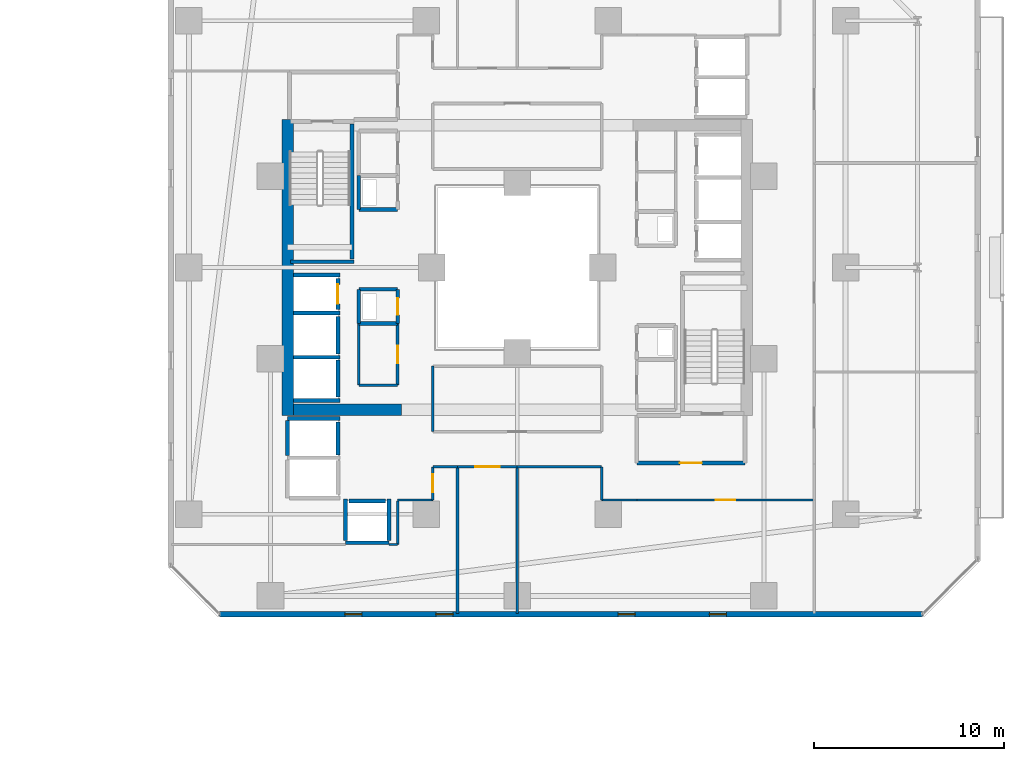
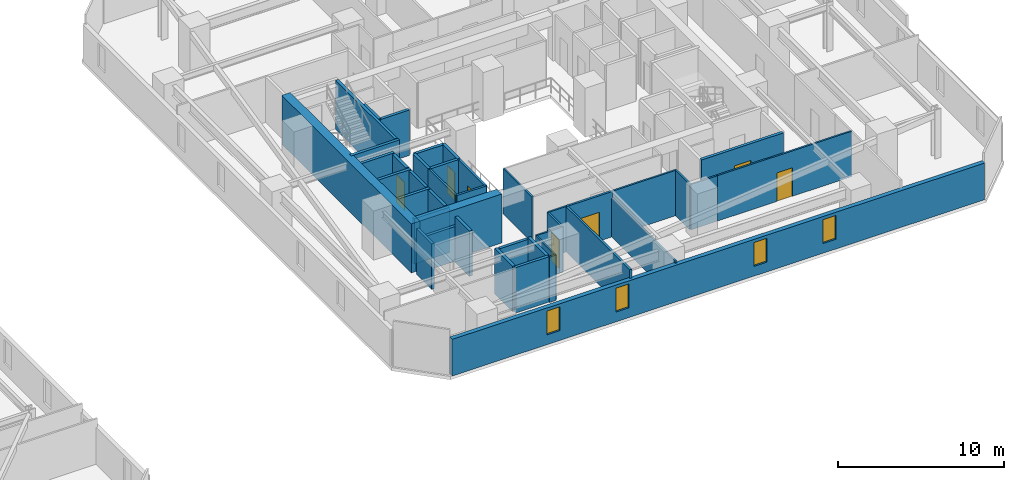
# One storey, part 25 of 35: 42 walls, 7 doors, 4 windows, 11 openings.
"""IFC4 building model written with IfcOpenShell, lengths in metres."""

from ifc_helpers import new_model, si_unit, direction, frame, frame_2d, origin, place, context, subcontext, project, spatial, rectangle, extrude, material, layer, layer_set, type_object, element, fill, save


model = new_model("IFC4")

# Units and contexts
model_context = context("Model", 3, precision=1e-05, world=origin(), true_north=direction((0.0, 1.0)))
body_context = subcontext(model_context, "Body", "Model", "MODEL_VIEW")
ifc_project = project(units=[si_unit("LENGTHUNIT", "METRE"), si_unit("AREAUNIT", "SQUARE_METRE"), si_unit("VOLUMEUNIT", "CUBIC_METRE"), si_unit("PLANEANGLEUNIT", "RADIAN"), si_unit("MASSUNIT", "GRAM", prefix="KILO")], contexts=[model_context])

# Site, building, storey
site_placement = place(None, origin())
site = spatial("IfcSite", under=ifc_project, at=site_placement, CompositionType="ELEMENT")
building_placement = place(site_placement, origin())
building = spatial("IfcBuilding", under=site, at=building_placement, Name="Thornwick Lancets Civic Towers", CompositionType="ELEMENT")
storey_placement = place(building_placement, frame((0.0, 0.0, 64.5)))
storey = spatial("IfcBuildingStorey", under=building, at=storey_placement, Name="L16", CompositionType="ELEMENT", Elevation=64.5)

# Wall, opening, door
ifc_material_1 = material(Name="Concrete blockwork C40/50", Category="masonry")
ifc_layer_1 = layer(ifc_material_1, 0.199951171875, Name="Concrete blockwork C40/50")
ifc_layer_set_1 = layer_set([ifc_layer_1], Name="Concrete blockwork C40/50")
wall_type_1 = type_object("IfcWallType", Name="WALL_COMP_200", PredefinedType="STANDARD", material=ifc_layer_set_1)
wall_1_placement = place(storey_placement, frame((79.050048828125, 24.780029296875, 0.0), z_axis=(0.0, 0.0, 1.0), x_axis=(0.0, 1.0, 0.0)))
wall_1 = element("IfcWall", 1, at=wall_1_placement, inside=storey, type_object=wall_type_1, Name="L16 Hoistway Front Wall FL-B2", PredefinedType="STANDARD", context=body_context, shape_type="SweptSolid", body=[
    extrude(rectangle(XDim=1.639892578125, YDim=0.199951171875, at=frame_2d((0.81982421875, 0.0))), origin(), (0.0, 0.0, 1.0), 3.340087890625),
])
opening_1_placement = place(wall_1_placement, frame((0.31005859375, 0.0, 0.0)))
opening_1 = element("IfcOpeningElement", 2, at=opening_1_placement, cuts=wall_1, Name="Opening LD-FL-B2", PredefinedType="OPENING", context=body_context, shape_type="SweptSolid", body=[
    extrude(rectangle(XDim=1.02001953125, YDim=2.06005859375, at=frame_2d((0.510009765625, 1.030029296875))), frame((0.0, 0.10986328125, 0.0), z_axis=(0.0, -1.0, 0.0), x_axis=(1.0, 0.0, 0.0)), (0.0, 0.0, 1.0), 0.219970703125),
])
ifc_material_2 = material(Name="Brushed bronze stainless steel", Category="steel")
door_type_1 = type_object("IfcDoorType", Name="DOOR_LIFT_SLIDE", OperationType="SLIDING_TO_LEFT", PredefinedType="DOOR", material=ifc_material_2)
door_1_placement = place(opening_1_placement, origin())
door_1 = element("IfcDoor", 3, at=door_1_placement, inside=storey, type_object=door_type_1, Name="L16 Sliding Lift Landing Door LD-FL-B2", OperationType="SLIDING_TO_LEFT", OverallHeight=2.06005859375, OverallWidth=1.02001953125, PredefinedType="DOOR", context=body_context, shape_type="SweptSolid", body=[
    extrude(rectangle(XDim=1.02001953125, YDim=2.06005859375, at=frame_2d((0.510009765625, 1.030029296875))), frame((0.0, 0.02490234375, 0.0), z_axis=(0.0, -1.0, 0.0), x_axis=(1.0, 0.0, 0.0)), (0.0, 0.0, 1.0), 0.050048828125),
])
fill(opening_1, door_1)

# Walls
wall_2_placement = place(storey_placement, frame((79.050048828125, 22.429931640625, 0.0), z_axis=(0.0, 0.0, 1.0), x_axis=(0.0, 1.0, 0.0)))
element("IfcWall", 4, at=wall_2_placement, inside=storey, type_object=wall_type_1, Name="L16 Hoistway Front Wall PL-BH2", PredefinedType="STANDARD", context=body_context, shape_type="SweptSolid", body=[
    extrude(rectangle(XDim=1.989990234375, YDim=0.199951171875, at=frame_2d((0.9951171875, 0.0))), origin(), (0.0, 0.0, 1.0), 3.340087890625),
])
wall_3_placement = place(storey_placement, frame((79.050048828125, 20.179931640625, 0.0), z_axis=(0.0, 0.0, 1.0), x_axis=(0.0, 1.0, 0.0)))
element("IfcWall", 5, at=wall_3_placement, inside=storey, type_object=wall_type_1, Name="L16 Hoistway Front Wall PL-BH3", PredefinedType="STANDARD", context=body_context, shape_type="SweptSolid", body=[
    extrude(rectangle(XDim=1.940185546875, YDim=0.199951171875, at=frame_2d((0.97021484375, 0.0))), origin(), (0.0, 0.0, 1.0), 3.340087890625),
])
wall_4_placement = place(storey_placement, frame((79.050048828125, 17.1298828125, 0.0), z_axis=(0.0, 0.0, 1.0), x_axis=(0.0, 1.0, 0.0)))
element("IfcWall", 6, at=wall_4_placement, inside=storey, type_object=wall_type_1, Name="L16 Hoistway Front Wall PL-BM1", PredefinedType="STANDARD", context=body_context, shape_type="SweptSolid", body=[
    extrude(rectangle(XDim=1.740234375, YDim=0.199951171875, at=frame_2d((0.8701171875, 0.0))), origin(), (0.0, 0.0, 1.0), 3.340087890625),
])
wall_5_placement = place(storey_placement, frame((79.6298828125, 14.699951171875, 0.0), z_axis=(0.0, 0.0, 1.0), x_axis=(1.0, 0.0, 0.0)))
element("IfcWall", 7, at=wall_5_placement, inside=storey, type_object=wall_type_1, Name="L16 Hoistway Front Wall PL-BM3", PredefinedType="STANDARD", context=body_context, shape_type="SweptSolid", body=[
    extrude(rectangle(XDim=1.940185546875, YDim=0.199951171875, at=frame_2d((0.97021484375, 0.0))), origin(), (0.0, 0.0, 1.0), 3.340087890625),
])
for number, where, z_axis, x_axis, name in (
    (8, (76.7119140625, 26.60009765625, 0.0), (0.0, 0.0, 1.0), (1.0, 0.0, 0.0), "L16 Hoistway Shaft Wall FL-B2 N"),
    (9, (76.7119140625, 24.60009765625, 0.0), (0.0, 0.0, 1.0), (1.0, 0.0, 0.0), "L16 Hoistway Shaft Wall FL-B2 S"),
    (10, (76.7119140625, 22.27490234375, 0.0), (0.0, 0.0, 1.0), (1.0, 0.0, 0.0), "L16 Hoistway Shaft Wall PL-BH2 S"),
    (11, (76.7119140625, 20.0, 0.0), (0.0, 0.0, 1.0), (1.0, 0.0, 0.0), "L16 Hoistway Shaft Wall PL-BH3 S"),
):
    element("IfcWall", number, at=place(storey_placement, frame(where, z_axis=z_axis, x_axis=x_axis)), inside=storey, type_object=wall_type_1, Name=name, PredefinedType="STANDARD", context=body_context, shape_type="SweptSolid", body=[
        extrude(rectangle(XDim=2.43603515625, YDim=0.199951171875, at=frame_2d((1.218017578125, 0.0))), origin(), (0.0, 0.0, 1.0), 3.340087890625),
    ])
wall_6_placement = place(storey_placement, frame((76.402099609375, 19.050048828125, 0.0), z_axis=(0.0, 0.0, 1.0), x_axis=(1.0, 0.0, 0.0)))
element("IfcWall", 12, at=wall_6_placement, inside=storey, type_object=wall_type_1, Name="L16 Hoistway Shaft Wall PL-BM1 N", PredefinedType="STANDARD", context=body_context, shape_type="SweptSolid", body=[
    extrude(rectangle(XDim=2.745849609375, YDim=0.199951171875, at=frame_2d((1.373046875, 0.0))), origin(), (0.0, 0.0, 1.0), 2.544921875),
])
wall_7_placement = place(storey_placement, frame((76.39990234375, 17.08203125, 0.0), z_axis=(0.0, 0.0, 1.0), x_axis=(0.0, 1.0, 0.0)))
element("IfcWall", 13, at=wall_7_placement, inside=storey, type_object=wall_type_1, Name="L16 Hoistway Shaft Wall PL-BM1 W", PredefinedType="STANDARD", context=body_context, shape_type="SweptSolid", body=[
    extrude(rectangle(XDim=1.85595703125, YDim=0.199951171875, at=frame_2d((0.927978515625, 0.0))), origin(), (0.0, 0.0, 1.0), 3.340087890625),
])
wall_8_placement = place(storey_placement, frame((79.451904296875, 12.5, 0.0), z_axis=(0.0, 0.0, 1.0), x_axis=(1.0, 0.0, 0.0)))
element("IfcWall", 14, at=wall_8_placement, inside=storey, type_object=wall_type_1, Name="L16 Hoistway Shaft Wall PL-BM3 S", PredefinedType="STANDARD", context=body_context, shape_type="SweptSolid", body=[
    extrude(rectangle(XDim=2.296142578125, YDim=0.199951171875, at=frame_2d((1.14794921875, 0.0))), origin(), (0.0, 0.0, 1.0), 3.340087890625),
])
for number, where, z_axis, x_axis, name in (
    (15, (81.75, 12.612060546875, 0.0), (0.0, 0.0, 1.0), (0.0, 1.0, 0.0), "L16 Hoistway Shaft Wall PL-BM3 E"),
    (16, (79.449951171875, 12.612060546875, 0.0), (0.0, 0.0, 1.0), (0.0, 1.0, 0.0), "L16 Hoistway Shaft Wall PL-BM3 W"),
):
    element("IfcWall", number, at=place(storey_placement, frame(where, z_axis=z_axis, x_axis=x_axis)), inside=storey, type_object=wall_type_1, Name=name, PredefinedType="STANDARD", context=body_context, shape_type="SweptSolid", body=[
        extrude(rectangle(XDim=2.18603515625, YDim=0.199951171875, at=frame_2d((1.093017578125, 0.0))), origin(), (0.0, 0.0, 1.0), 3.340087890625),
    ])

# Wall, opening, door
wall_9_placement = place(storey_placement, frame((94.800048828125, 16.699951171875, 0.0), z_axis=(0.0, 0.0, 1.0), x_axis=(1.0, 0.0, 0.0)))
wall_9 = element("IfcWall", 17, at=wall_9_placement, inside=storey, type_object=wall_type_1, Name="L16 Partition L16-B-FFLOB1 E1", PredefinedType="STANDARD", context=body_context, shape_type="SweptSolid", body=[
    extrude(rectangle(XDim=5.699951171875, YDim=0.199951171875, at=frame_2d((2.85009765625, 0.0))), origin(), (0.0, 0.0, 1.0), 3.340087890625),
])
opening_2_placement = place(wall_9_placement, frame((2.27490234375, 0.0, 0.0)))
opening_2 = element("IfcOpeningElement", 18, at=opening_2_placement, cuts=wall_9, Name="Opening D-L16-0764", PredefinedType="OPENING", context=body_context, shape_type="SweptSolid", body=[
    extrude(rectangle(XDim=1.14990234375, YDim=2.10009765625, at=frame_2d((0.574951171875, 1.050048828125))), frame((0.0, 0.10986328125, 0.0), z_axis=(0.0, -1.0, 0.0), x_axis=(1.0, 0.0, 0.0)), (0.0, 0.0, 1.0), 0.219970703125),
])
ifc_material_3 = material(Name="Glazed fire-resisting steel", Category="steel")
door_type_2 = type_object("IfcDoorType", Name="DOOR_LOBBY_FD60", OperationType="NOTDEFINED", PredefinedType="DOOR", material=ifc_material_3)
door_2_placement = place(opening_2_placement, origin())
door_2 = element("IfcDoor", 19, at=door_2_placement, inside=storey, type_object=door_type_2, Name="L16 East Firefighting Lobby 1 Door", OperationType="SINGLE_SWING_LEFT", OverallHeight=2.10009765625, OverallWidth=1.14990234375, PredefinedType="DOOR", context=body_context, shape_type="SweptSolid", body=[
    extrude(rectangle(XDim=1.14990234375, YDim=2.10009765625, at=frame_2d((0.574951171875, 1.050048828125))), frame((0.0, 0.02490234375, 0.0), z_axis=(0.0, -1.0, 0.0), x_axis=(1.0, 0.0, 0.0)), (0.0, 0.0, 1.0), 0.050048828125),
])
fill(opening_2, door_2)

# Wall
wall_10_placement = place(storey_placement, frame((80.14990234375, 24.050048828125, 0.0), z_axis=(0.0, 0.0, 1.0), x_axis=(1.0, 0.0, 0.0)))
element("IfcWall", 20, at=wall_10_placement, inside=storey, type_object=wall_type_1, Name="L16 Partition L16-B-DUCT2 E1", PredefinedType="STANDARD", context=body_context, shape_type="SweptSolid", body=[
    extrude(rectangle(XDim=2.050048828125, YDim=0.199951171875, at=frame_2d((1.02490234375, 0.0))), origin(), (0.0, 0.0, 1.0), 3.340087890625),
])

# Wall, opening, door
wall_11_placement = place(storey_placement, frame((82.199951171875, 24.050048828125, 0.0), z_axis=(0.0, 0.0, 1.0), x_axis=(0.0, 1.0, 0.0)))
wall_11 = element("IfcWall", 21, at=wall_11_placement, inside=storey, type_object=wall_type_1, Name="L16 Partition L16-B-DUCT2 E2", PredefinedType="STANDARD", context=body_context, shape_type="SweptSolid", body=[
    extrude(rectangle(XDim=1.800048828125, YDim=0.199951171875, at=frame_2d((0.89990234375, 0.0))), origin(), (0.0, 0.0, 1.0), 3.340087890625),
])
opening_3_placement = place(wall_11_placement, frame((0.4599609375, 0.0, 0.0)))
opening_3 = element("IfcOpeningElement", 22, at=opening_3_placement, cuts=wall_11, Name="Opening D-L16-0768", PredefinedType="OPENING", context=body_context, shape_type="SweptSolid", body=[
    extrude(rectangle(XDim=0.8798828125, YDim=2.0400390625, at=frame_2d((0.43994140625, 1.02001953125))), frame((0.0, 0.10986328125, 0.0), z_axis=(0.0, -1.0, 0.0), x_axis=(1.0, 0.0, 0.0)), (0.0, 0.0, 1.0), 0.219970703125),
])
ifc_material_4 = material(Name="Steel riser access doorset", Category="steel")
door_type_3 = type_object("IfcDoorType", Name="DOOR_RISER_850", OperationType="NOTDEFINED", PredefinedType="DOOR", material=ifc_material_4)
door_3_placement = place(opening_3_placement, origin())
door_3 = element("IfcDoor", 23, at=door_3_placement, inside=storey, type_object=door_type_3, Name="L16 West Service Duct 2 Door", OperationType="SINGLE_SWING_LEFT", OverallHeight=2.0400390625, OverallWidth=0.8798828125, PredefinedType="DOOR", context=body_context, shape_type="SweptSolid", body=[
    extrude(rectangle(XDim=0.8798828125, YDim=2.0400390625, at=frame_2d((0.43994140625, 1.02001953125))), frame((0.0, 0.02490234375, 0.0), z_axis=(0.0, -1.0, 0.0), x_axis=(1.0, 0.0, 0.0)), (0.0, 0.0, 1.0), 0.050048828125),
])
fill(opening_3, door_3)

# Walls
wall_12_placement = place(storey_placement, frame((82.199951171875, 25.85009765625, 0.0), z_axis=(0.0, 0.0, 1.0), x_axis=(-1.0, 0.0, 0.0)))
element("IfcWall", 24, at=wall_12_placement, inside=storey, type_object=wall_type_1, Name="L16 Partition L16-B-DUCT2 E3", PredefinedType="STANDARD", context=body_context, shape_type="SweptSolid", body=[
    extrude(rectangle(XDim=2.050048828125, YDim=0.199951171875, at=frame_2d((1.02490234375, 0.0))), origin(), (0.0, 0.0, 1.0), 3.340087890625),
])
wall_13_placement = place(storey_placement, frame((80.14990234375, 25.85009765625, 0.0), z_axis=(0.0, 0.0, 1.0), x_axis=(0.0, -1.0, 0.0)))
element("IfcWall", 25, at=wall_13_placement, inside=storey, type_object=wall_type_1, Name="L16 Partition L16-B-DUCT2 E4", PredefinedType="STANDARD", context=body_context, shape_type="SweptSolid", body=[
    extrude(rectangle(XDim=1.800048828125, YDim=0.199951171875, at=frame_2d((0.89990234375, 0.0))), origin(), (0.0, 0.0, 1.0), 3.340087890625),
])
wall_14_placement = place(storey_placement, frame((80.14990234375, 30.050048828125, 0.0), z_axis=(0.0, 0.0, 1.0), x_axis=(1.0, 0.0, 0.0)))
element("IfcWall", 26, at=wall_14_placement, inside=storey, type_object=wall_type_1, Name="L16 Partition L16-B-RISER2 E1", PredefinedType="STANDARD", context=body_context, shape_type="SweptSolid", body=[
    extrude(rectangle(XDim=2.050048828125, YDim=0.199951171875, at=frame_2d((1.02490234375, 0.0))), origin(), (0.0, 0.0, 1.0), 3.340087890625),
])
wall_15_placement = place(storey_placement, frame((80.14990234375, 31.85009765625, 0.0), z_axis=(0.0, 0.0, 1.0), x_axis=(0.0, -1.0, 0.0)))
element("IfcWall", 27, at=wall_15_placement, inside=storey, type_object=wall_type_1, Name="L16 Partition L16-B-RISER2 E4", PredefinedType="STANDARD", context=body_context, shape_type="SweptSolid", body=[
    extrude(rectangle(XDim=1.800048828125, YDim=0.199951171875, at=frame_2d((0.89990234375, 0.0))), origin(), (0.0, 0.0, 1.0), 3.340087890625),
])
ifc_material_5 = material(Name="Concrete C60/75", Category="concrete")
ifc_layer_2 = layer(ifc_material_5, 0.60009765625, Name="Concrete C60/75")
ifc_layer_set_2 = layer_set([ifc_layer_2], Name="Concrete C60/75")
wall_type_2 = type_object("IfcWallType", Name="WALL_CORE_600", PredefinedType="SHEAR", material=ifc_layer_set_2)
wall_16_placement = place(storey_placement, frame((76.39990234375, 19.199951171875, 0.0), z_axis=(0.0, 0.0, 1.0), x_axis=(0.0, 1.0, 0.0)))
element("IfcWall", 28, at=wall_16_placement, inside=storey, type_object=wall_type_2, Name="L16 Split Core B2 Shear Wall W", PredefinedType="SHEAR", context=body_context, shape_type="SweptSolid", body=[
    extrude(rectangle(XDim=15.60009765625, YDim=0.60009765625, at=frame_2d((7.800048828125, 0.0))), origin(), (0.0, 0.0, 1.0), 3.60009765625),
])
wall_17_placement = place(storey_placement, frame((76.699951171875, 19.5, 0.0), z_axis=(0.0, 0.0, 1.0), x_axis=(1.0, 0.0, 0.0)))
element("IfcWall", 29, at=wall_17_placement, inside=storey, type_object=wall_type_2, Name="L16 Split Core B2 Shear Wall S", PredefinedType="SHEAR", context=body_context, shape_type="SweptSolid", body=[
    extrude(rectangle(XDim=5.699951171875, YDim=0.60009765625, at=frame_2d((2.85009765625, 0.0))), origin(), (0.0, 0.0, 1.0), 3.60009765625),
])

# Wall, openings, windows
ifc_material_6 = material(Name="Insulated russet terracotta rainscreen on concrete C40/50", Category="masonry")
ifc_layer_3 = layer(ifc_material_6, 0.300048828125, Name="Insulated russet terracotta rainscreen on concrete C40/50")
ifc_layer_set_3 = layer_set([ifc_layer_3], Name="Insulated russet terracotta rainscreen on concrete C40/50")
wall_type_3 = type_object("IfcWallType", Name="WALL_EXT_RUSSET_300", PredefinedType="STANDARD", material=ifc_layer_set_3)
wall_18_placement = place(storey_placement, frame((72.81884765625, 8.735107421875, 0.0), z_axis=(0.0, 0.0, 1.0), x_axis=(0.999999999457, 3.2959355e-05, 0.0)))
wall_18 = element("IfcWall", 30, at=wall_18_placement, inside=storey, type_object=wall_type_3, Name="L16 Tower B Terracotta Facade Wall E0", PredefinedType="STANDARD", context=body_context, shape_type="SweptSolid", body=[
    extrude(rectangle(XDim=37.03662109375, YDim=0.300048828125, at=frame_2d((18.518310546875, 0.0))), origin(), (0.0, 0.0, 1.0), 2.699951171875),
])
opening_4_placement = place(wall_18_placement, frame((6.60009765625, 0.0, 0.719970703125)))
opening_4 = element("IfcOpeningElement", 31, at=opening_4_placement, cuts=wall_18, Name="Opening WL-01", PredefinedType="OPENING", context=body_context, shape_type="SweptSolid", body=[
    extrude(rectangle(XDim=0.89990234375, YDim=1.75, at=frame_2d((0.449951171875, 0.875))), frame((0.0, 0.16015625, 0.0), z_axis=(0.0, -1.0, 0.0), x_axis=(1.0, 0.0, 0.0)), (0.0, 0.0, 1.0), 0.320068359375),
])
opening_5_placement = place(wall_18_placement, frame((11.39990234375, 0.0, 0.719970703125)))
opening_5 = element("IfcOpeningElement", 32, at=opening_5_placement, cuts=wall_18, Name="Opening WL-01", PredefinedType="OPENING", context=body_context, shape_type="SweptSolid", body=[
    extrude(rectangle(XDim=0.89990234375, YDim=1.75, at=frame_2d((0.449951171875, 0.875))), frame((0.0, 0.16015625, 0.0), z_axis=(0.0, -1.0, 0.0), x_axis=(1.0, 0.0, 0.0)), (0.0, 0.0, 1.0), 0.320068359375),
])
opening_6_placement = place(wall_18_placement, frame((21.0, 0.0, 0.719970703125)))
opening_6 = element("IfcOpeningElement", 33, at=opening_6_placement, cuts=wall_18, Name="Opening WL-01", PredefinedType="OPENING", context=body_context, shape_type="SweptSolid", body=[
    extrude(rectangle(XDim=0.89990234375, YDim=1.75, at=frame_2d((0.449951171875, 0.875))), frame((0.0, 0.16015625, 0.0), z_axis=(0.0, -1.0, 0.0), x_axis=(1.0, 0.0, 0.0)), (0.0, 0.0, 1.0), 0.320068359375),
])
opening_7_placement = place(wall_18_placement, frame((25.800048828125, 0.0, 0.719970703125)))
opening_7 = element("IfcOpeningElement", 34, at=opening_7_placement, cuts=wall_18, Name="Opening WL-01", PredefinedType="OPENING", context=body_context, shape_type="SweptSolid", body=[
    extrude(rectangle(XDim=0.89990234375, YDim=1.75, at=frame_2d((0.449951171875, 0.875))), frame((0.0, 0.16015625, 0.0), z_axis=(0.0, -1.0, 0.0), x_axis=(1.0, 0.0, 0.0)), (0.0, 0.0, 1.0), 0.320068359375),
])
ifc_material_7 = material(Name="Clear low-e double glazing in bronze frame", Category="glass")
window_type = type_object("IfcWindowType", Name="WIN_LANCET_900", PartitioningType="SINGLE_PANEL", PredefinedType="WINDOW", material=ifc_material_7)
window_1_placement = place(opening_4_placement, origin())
window_1 = element("IfcWindow", 35, at=window_1_placement, inside=storey, type_object=window_type, Name="L16 Tower B Staggered Lancet Window E0-1", OverallHeight=1.75, OverallWidth=0.89990234375, PartitioningType="SINGLE_PANEL", PredefinedType="WINDOW", context=body_context, shape_type="SweptSolid", body=[
    extrude(rectangle(XDim=0.89990234375, YDim=1.75, at=frame_2d((0.449951171875, 0.875))), frame((0.0, 0.030029296875, 0.0), z_axis=(0.0, -1.0, 0.0), x_axis=(1.0, 0.0, 0.0)), (0.0, 0.0, 1.0), 0.06005859375),
])
fill(opening_4, window_1)
window_2_placement = place(opening_5_placement, origin())
window_2 = element("IfcWindow", 36, at=window_2_placement, inside=storey, type_object=window_type, Name="L16 Tower B Staggered Lancet Window E0-2", OverallHeight=1.75, OverallWidth=0.89990234375, PartitioningType="SINGLE_PANEL", PredefinedType="WINDOW", context=body_context, shape_type="SweptSolid", body=[
    extrude(rectangle(XDim=0.89990234375, YDim=1.75, at=frame_2d((0.449951171875, 0.875))), frame((0.0, 0.030029296875, 0.0), z_axis=(0.0, -1.0, 0.0), x_axis=(1.0, 0.0, 0.0)), (0.0, 0.0, 1.0), 0.06005859375),
])
fill(opening_5, window_2)
window_3_placement = place(opening_6_placement, origin())
window_3 = element("IfcWindow", 37, at=window_3_placement, inside=storey, type_object=window_type, Name="L16 Tower B Staggered Lancet Window E0-3", OverallHeight=1.75, OverallWidth=0.89990234375, PartitioningType="SINGLE_PANEL", PredefinedType="WINDOW", context=body_context, shape_type="SweptSolid", body=[
    extrude(rectangle(XDim=0.89990234375, YDim=1.75, at=frame_2d((0.449951171875, 0.875))), frame((0.0, 0.030029296875, 0.0), z_axis=(0.0, -1.0, 0.0), x_axis=(1.0, 0.0, 0.0)), (0.0, 0.0, 1.0), 0.06005859375),
])
fill(opening_6, window_3)
window_4_placement = place(opening_7_placement, origin())
window_4 = element("IfcWindow", 38, at=window_4_placement, inside=storey, type_object=window_type, Name="L16 Tower B Staggered Lancet Window E0-4", OverallHeight=1.75, OverallWidth=0.89990234375, PartitioningType="SINGLE_PANEL", PredefinedType="WINDOW", context=body_context, shape_type="SweptSolid", body=[
    extrude(rectangle(XDim=0.89990234375, YDim=1.75, at=frame_2d((0.449951171875, 0.875))), frame((0.0, 0.030029296875, 0.0), z_axis=(0.0, -1.0, 0.0), x_axis=(1.0, 0.0, 0.0)), (0.0, 0.0, 1.0), 0.06005859375),
])
fill(opening_7, window_4)

# Walls
ifc_material_8 = material(Name="Acoustic gypsum board partition")
ifc_layer_4 = layer(ifc_material_8, 0.1201171875, Name="Acoustic gypsum board partition")
ifc_layer_set_4 = layer_set([ifc_layer_4], Name="Acoustic gypsum board partition")
wall_type_4 = type_object("IfcWallType", Name="WALL_PART_120", PredefinedType="PARTITIONING", material=ifc_layer_set_4)
wall_19_placement = place(storey_placement, frame((92.949951171875, 16.5, 0.0), z_axis=(0.0, 0.0, 1.0), x_axis=(0.0, -1.0, 0.0)))
element("IfcWall", 39, at=wall_19_placement, inside=storey, type_object=wall_type_4, Name="L16 Partition L16-B-W1 E1", PredefinedType="PARTITIONING", context=body_context, shape_type="SweptSolid", body=[
    extrude(rectangle(XDim=1.75, YDim=0.1201171875, at=frame_2d((0.875, 0.0))), origin(), (0.0, 0.0, 1.0), 3.340087890625),
])
wall_20_placement = place(storey_placement, frame((92.949951171875, 14.75, 0.0), z_axis=(0.0, 0.0, 1.0), x_axis=(1.0, 0.0, 0.0)))
element("IfcWall", 40, at=wall_20_placement, inside=storey, type_object=wall_type_4, Name="L16 Partition L16-B-W1 E2", PredefinedType="PARTITIONING", context=body_context, shape_type="SweptSolid", body=[
    extrude(rectangle(XDim=1.85009765625, YDim=0.1201171875, at=frame_2d((0.925048828125, 0.0))), origin(), (0.0, 0.0, 1.0), 3.340087890625),
])

# Wall, opening, door
wall_21_placement = place(storey_placement, frame((94.800048828125, 14.75, 0.0), z_axis=(0.0, 0.0, 1.0), x_axis=(1.0, 0.0, 0.0)))
wall_21 = element("IfcWall", 41, at=wall_21_placement, inside=storey, type_object=wall_type_4, Name="L16 Partition L16-B-W1 E3", PredefinedType="PARTITIONING", context=body_context, shape_type="SweptSolid", body=[
    extrude(rectangle(XDim=9.349853515625, YDim=0.1201171875, at=frame_2d((4.6748046875, 0.0))), origin(), (0.0, 0.0, 1.0), 3.340087890625),
])
opening_8_placement = place(wall_21_placement, frame((4.14990234375, 0.0, 0.0)))
opening_8 = element("IfcOpeningElement", 42, at=opening_8_placement, cuts=wall_21, Name="Opening D-L16-0786", PredefinedType="OPENING", context=body_context, shape_type="SweptSolid", body=[
    extrude(rectangle(XDim=1.050048828125, YDim=2.10009765625, at=frame_2d((0.52490234375, 1.050048828125))), frame((0.0, 0.070068359375, 0.0), z_axis=(0.0, -1.0, 0.0), x_axis=(1.0, 0.0, 0.0)), (0.0, 0.0, 1.0), 0.14013671875),
])
ifc_material_9 = material(Name="Glazed European oak executive doorset")
door_type_4 = type_object("IfcDoorType", Name="DOOR_OFFICE_1050", OperationType="NOTDEFINED", PredefinedType="DOOR", material=ifc_material_9)
door_4_placement = place(opening_8_placement, origin())
door_4 = element("IfcDoor", 43, at=door_4_placement, inside=storey, type_object=door_type_4, Name="L16 Tower B Ministry Directorate Office W1 Door", OperationType="SINGLE_SWING_LEFT", OverallHeight=2.10009765625, OverallWidth=1.050048828125, PredefinedType="DOOR", context=body_context, shape_type="SweptSolid", body=[
    extrude(rectangle(XDim=1.050048828125, YDim=2.10009765625, at=frame_2d((0.52490234375, 1.050048828125))), frame((0.0, 0.02490234375, 0.0), z_axis=(0.0, -1.0, 0.0), x_axis=(1.0, 0.0, 0.0)), (0.0, 0.0, 1.0), 0.050048828125),
])
fill(opening_8, door_4)

# Walls
wall_22_placement = place(storey_placement, frame((88.5, 8.780029296875, 0.0), z_axis=(0.0, 0.0, 1.0), x_axis=(0.0, 1.0, 0.0)))
element("IfcWall", 44, at=wall_22_placement, inside=storey, type_object=wall_type_4, Name="L16 Partition L16-B-W1 E6", PredefinedType="PARTITIONING", context=body_context, shape_type="SweptSolid", body=[
    extrude(rectangle(XDim=7.719970703125, YDim=0.1201171875, at=frame_2d((3.85986328125, 0.0))), origin(), (0.0, 0.0, 1.0), 2.877685546875),
])
wall_23_placement = place(storey_placement, frame((88.5, 16.5, 0.0), z_axis=(0.0, 0.0, 1.0), x_axis=(1.0, 0.0, 0.0)))
element("IfcWall", 45, at=wall_23_placement, inside=storey, type_object=wall_type_4, Name="L16 Partition L16-B-W1 E7", PredefinedType="PARTITIONING", context=body_context, shape_type="SweptSolid", body=[
    extrude(rectangle(XDim=4.449951171875, YDim=0.1201171875, at=frame_2d((2.22509765625, 0.0))), origin(), (0.0, 0.0, 1.0), 3.340087890625),
])
wall_24_placement = place(storey_placement, frame((82.199951171875, 14.75, 0.0), z_axis=(0.0, 0.0, 1.0), x_axis=(1.0, 0.0, 0.0)))
element("IfcWall", 46, at=wall_24_placement, inside=storey, type_object=wall_type_4, Name="L16 Partition L16-B-W3 E2", PredefinedType="PARTITIONING", context=body_context, shape_type="SweptSolid", body=[
    extrude(rectangle(XDim=1.85009765625, YDim=0.1201171875, at=frame_2d((0.925048828125, 0.0))), origin(), (0.0, 0.0, 1.0), 3.340087890625),
])

# Wall, opening, door
wall_25_placement = place(storey_placement, frame((84.050048828125, 14.75, 0.0), z_axis=(0.0, 0.0, 1.0), x_axis=(0.0, 1.0, 0.0)))
wall_25 = element("IfcWall", 47, at=wall_25_placement, inside=storey, type_object=wall_type_4, Name="L16 Partition L16-B-W3 E3", PredefinedType="PARTITIONING", context=body_context, shape_type="SweptSolid", body=[
    extrude(rectangle(XDim=1.75, YDim=0.1201171875, at=frame_2d((0.875, 0.0))), origin(), (0.0, 0.0, 1.0), 3.340087890625),
])
opening_9_placement = place(wall_25_placement, frame((0.39990234375, 0.0, 0.0)))
opening_9 = element("IfcOpeningElement", 48, at=opening_9_placement, cuts=wall_25, Name="Opening D-L16-0788", PredefinedType="OPENING", context=body_context, shape_type="SweptSolid", body=[
    extrude(rectangle(XDim=0.949951171875, YDim=2.10009765625, at=frame_2d((0.47509765625, 1.050048828125))), frame((0.0, 0.070068359375, 0.0), z_axis=(0.0, -1.0, 0.0), x_axis=(1.0, 0.0, 0.0)), (0.0, 0.0, 1.0), 0.14013671875),
])
ifc_material_10 = material(Name="European oak acoustic doorset")
door_type_5 = type_object("IfcDoorType", Name="DOOR_OFFICE_950", OperationType="NOTDEFINED", PredefinedType="DOOR", material=ifc_material_10)
door_5_placement = place(opening_9_placement, origin())
door_5 = element("IfcDoor", 49, at=door_5_placement, inside=storey, type_object=door_type_5, Name="L16 Tower B Staff Tea Pantry and Lounge Door", OperationType="SINGLE_SWING_LEFT", OverallHeight=2.10009765625, OverallWidth=0.949951171875, PredefinedType="DOOR", context=body_context, shape_type="SweptSolid", body=[
    extrude(rectangle(XDim=0.949951171875, YDim=2.10009765625, at=frame_2d((0.47509765625, 1.050048828125))), frame((0.0, 0.02490234375, 0.0), z_axis=(0.0, -1.0, 0.0), x_axis=(1.0, 0.0, 0.0)), (0.0, 0.0, 1.0), 0.050048828125),
])
fill(opening_9, door_5)

# Walls
wall_26_placement = place(storey_placement, frame((84.050048828125, 16.5, 0.0), z_axis=(0.0, 0.0, 1.0), x_axis=(1.0, 0.0, 0.0)))
element("IfcWall", 50, at=wall_26_placement, inside=storey, type_object=wall_type_4, Name="L16 Partition L16-B-W3 E4", PredefinedType="PARTITIONING", context=body_context, shape_type="SweptSolid", body=[
    extrude(rectangle(XDim=1.300048828125, YDim=0.1201171875, at=frame_2d((0.64990234375, 0.0))), origin(), (0.0, 0.0, 1.0), 3.340087890625),
])
wall_27_placement = place(storey_placement, frame((81.748046875, 12.39990234375, 0.0), z_axis=(0.0, 0.0, 1.0), x_axis=(1.0, 0.0, 0.0)))
element("IfcWall", 51, at=wall_27_placement, inside=storey, type_object=wall_type_4, Name="L16 Partition L16-B-W3 E9", PredefinedType="PARTITIONING", context=body_context, shape_type="SweptSolid", body=[
    extrude(rectangle(XDim=0.451904296875, YDim=0.1201171875, at=frame_2d((0.22607421875, 0.0))), origin(), (0.0, 0.0, 1.0), 3.340087890625),
])
wall_28_placement = place(storey_placement, frame((82.199951171875, 12.39990234375, 0.0), z_axis=(0.0, 0.0, 1.0), x_axis=(0.0, 1.0, 0.0)))
element("IfcWall", 52, at=wall_28_placement, inside=storey, type_object=wall_type_4, Name="L16 Partition L16-B-W3 E10", PredefinedType="PARTITIONING", context=body_context, shape_type="SweptSolid", body=[
    extrude(rectangle(XDim=2.300048828125, YDim=0.1201171875, at=frame_2d((1.14990234375, 0.0))), origin(), (0.0, 0.0, 1.0), 3.340087890625),
])
wall_29_placement = place(storey_placement, frame((84.050048828125, 18.35009765625, 0.0), z_axis=(0.0, 0.0, 1.0), x_axis=(0.0, 1.0, 0.0)))
element("IfcWall", 53, at=wall_29_placement, inside=storey, type_object=wall_type_4, Name="L16 Partition L16-B-ATR-W E1", PredefinedType="PARTITIONING", context=body_context, shape_type="SweptSolid", body=[
    extrude(rectangle(XDim=3.449951171875, YDim=0.1201171875, at=frame_2d((1.72509765625, 0.0))), origin(), (0.0, 0.0, 1.0), 3.340087890625),
])
ifc_material_11 = material(Name="Twin-stud acoustic gypsum board")
ifc_layer_5 = layer(ifc_material_11, 0.14990234375, Name="Twin-stud acoustic gypsum board")
ifc_layer_set_5 = layer_set([ifc_layer_5], Name="Twin-stud acoustic gypsum board")
wall_type_5 = type_object("IfcWallType", Name="WALL_PART_150", PredefinedType="PARTITIONING", material=ifc_layer_set_5)
wall_30_placement = place(storey_placement, frame((82.199951171875, 20.800048828125, 0.0), z_axis=(0.0, 0.0, 1.0), x_axis=(-1.0, 0.0, 0.0)))
element("IfcWall", 54, at=wall_30_placement, inside=storey, type_object=wall_type_5, Name="L16 Partition L16-B-FWC E1", PredefinedType="PARTITIONING", context=body_context, shape_type="SweptSolid", body=[
    extrude(rectangle(XDim=2.050048828125, YDim=0.14990234375, at=frame_2d((1.02490234375, 0.0))), origin(), (0.0, 0.0, 1.0), 3.340087890625),
])
wall_31_placement = place(storey_placement, frame((80.14990234375, 20.800048828125, 0.0), z_axis=(0.0, 0.0, 1.0), x_axis=(0.0, 1.0, 0.0)))
element("IfcWall", 55, at=wall_31_placement, inside=storey, type_object=wall_type_5, Name="L16 Partition L16-B-FWC E2", PredefinedType="PARTITIONING", context=body_context, shape_type="SweptSolid", body=[
    extrude(rectangle(XDim=3.25, YDim=0.14990234375, at=frame_2d((1.625, 0.0))), origin(), (0.0, 0.0, 1.0), 3.340087890625),
])

# Wall, opening, door
wall_32_placement = place(storey_placement, frame((82.199951171875, 24.050048828125, 0.0), z_axis=(0.0, 0.0, 1.0), x_axis=(0.0, -1.0, 0.0)))
wall_32 = element("IfcWall", 56, at=wall_32_placement, inside=storey, type_object=wall_type_5, Name="L16 Partition L16-B-FWC E4", PredefinedType="PARTITIONING", context=body_context, shape_type="SweptSolid", body=[
    extrude(rectangle(XDim=3.25, YDim=0.14990234375, at=frame_2d((1.625, 0.0))), origin(), (0.0, 0.0, 1.0), 3.340087890625),
])
opening_10_placement = place(wall_32_placement, frame((1.1650390625, 0.0, 0.0)))
opening_10 = element("IfcOpeningElement", 57, at=opening_10_placement, cuts=wall_32, Name="Opening D-L16-0773", PredefinedType="OPENING", context=body_context, shape_type="SweptSolid", body=[
    extrude(rectangle(XDim=0.919921875, YDim=2.080078125, at=frame_2d((0.4599609375, 1.0400390625))), frame((0.0, 0.0849609375, 0.0), z_axis=(0.0, -1.0, 0.0), x_axis=(1.0, 0.0, 0.0)), (0.0, 0.0, 1.0), 0.169921875),
])
ifc_material_12 = material(Name="Moisture-resistant oak doorset")
door_type_6 = type_object("IfcDoorType", Name="DOOR_WC_900", OperationType="NOTDEFINED", PredefinedType="DOOR", material=ifc_material_12)
door_6_placement = place(opening_10_placement, origin())
door_6 = element("IfcDoor", 58, at=door_6_placement, inside=storey, type_object=door_type_6, Name="L16 Tower B Female WC Door", OperationType="SINGLE_SWING_RIGHT", OverallHeight=2.080078125, OverallWidth=0.919921875, PredefinedType="DOOR", context=body_context, shape_type="SweptSolid", body=[
    extrude(rectangle(XDim=0.919921875, YDim=2.080078125, at=frame_2d((0.4599609375, 1.0400390625))), frame((0.0, 0.02490234375, 0.0), z_axis=(0.0, -1.0, 0.0), x_axis=(1.0, 0.0, 0.0)), (0.0, 0.0, 1.0), 0.050048828125),
])
fill(opening_10, door_6)

# Wall
wall_33_placement = place(storey_placement, frame((85.35009765625, 8.780029296875, 0.0), z_axis=(0.0, 0.0, 1.0), x_axis=(0.0, 1.0, 0.0)))
element("IfcWall", 59, at=wall_33_placement, inside=storey, type_object=wall_type_5, Name="L16 Partition L16-B-W2 E3", PredefinedType="PARTITIONING", context=body_context, shape_type="SweptSolid", body=[
    extrude(rectangle(XDim=7.719970703125, YDim=0.14990234375, at=frame_2d((3.85986328125, 0.0))), origin(), (0.0, 0.0, 1.0), 3.340087890625),
])

# Wall, opening, door
wall_34_placement = place(storey_placement, frame((85.35009765625, 16.5, 0.0), z_axis=(0.0, 0.0, 1.0), x_axis=(1.0, 0.0, 0.0)))
wall_34 = element("IfcWall", 60, at=wall_34_placement, inside=storey, type_object=wall_type_5, Name="L16 Partition L16-B-W2 E4", PredefinedType="PARTITIONING", context=body_context, shape_type="SweptSolid", body=[
    extrude(rectangle(XDim=3.14990234375, YDim=0.14990234375, at=frame_2d((1.574951171875, 0.0))), origin(), (0.0, 0.0, 1.0), 3.340087890625),
])
opening_11_placement = place(wall_34_placement, frame((0.925048828125, 0.0, 0.0)))
opening_11 = element("IfcOpeningElement", 61, at=opening_11_placement, cuts=wall_34, Name="Opening D-L16-0787", PredefinedType="OPENING", context=body_context, shape_type="SweptSolid", body=[
    extrude(rectangle(XDim=1.300048828125, YDim=2.1201171875, at=frame_2d((0.64990234375, 1.06005859375))), frame((0.0, 0.0849609375, 0.0), z_axis=(0.0, -1.0, 0.0), x_axis=(1.0, 0.0, 0.0)), (0.0, 0.0, 1.0), 0.169921875),
])
ifc_material_13 = material(Name="Acoustic oak leaf-and-a-half doorset")
door_type_7 = type_object("IfcDoorType", Name="DOOR_MEET_1300", OperationType="DOUBLE_DOOR_SINGLE_SWING", PredefinedType="DOOR", material=ifc_material_13)
door_7_placement = place(opening_11_placement, origin())
door_7 = element("IfcDoor", 62, at=door_7_placement, inside=storey, type_object=door_type_7, Name="L16 Tower B Policy Briefing Room W2 Door", OperationType="DOUBLE_DOOR_SINGLE_SWING", OverallHeight=2.1201171875, OverallWidth=1.300048828125, PredefinedType="DOOR", context=body_context, shape_type="SweptSolid", body=[
    extrude(rectangle(XDim=1.300048828125, YDim=2.1201171875, at=frame_2d((0.64990234375, 1.06005859375))), frame((0.0, 0.02490234375, 0.0), z_axis=(0.0, -1.0, 0.0), x_axis=(1.0, 0.0, 0.0)), (0.0, 0.0, 1.0), 0.050048828125),
])
fill(opening_11, door_7)

# Walls
ifc_material_14 = material(Name="Concrete C40/50", Category="concrete")
ifc_layer_6 = layer(ifc_material_14, 0.199951171875, Name="Concrete C40/50")
ifc_layer_set_6 = layer_set([ifc_layer_6], Name="Concrete C40/50")
wall_type_6 = type_object("IfcWallType", Name="WALL_SHAFT_200", PredefinedType="SHEAR", material=ifc_layer_set_6)
wall_35_placement = place(storey_placement, frame((79.89990234375, 27.300048828125, 0.0), z_axis=(0.0, 0.0, 1.0), x_axis=(-1.0, 0.0, 0.0)))
element("IfcWall", 63, at=wall_35_placement, inside=storey, type_object=wall_type_6, Name="L16 ST-B2 Fire Stair Core Wall FAR", PredefinedType="SHEAR", context=body_context, shape_type="SweptSolid", body=[
    extrude(rectangle(XDim=3.349853515625, YDim=0.199951171875, at=frame_2d((1.6748046875, 0.0))), origin(), (0.0, 0.0, 1.0), 3.60009765625),
])
wall_36_placement = place(storey_placement, frame((79.797119140625, 27.449951171875, 0.0), z_axis=(0.0, 0.0, 1.0), x_axis=(0.0, 1.0, 0.0)))
element("IfcWall", 64, at=wall_36_placement, inside=storey, type_object=wall_type_6, Name="L16 ST-B2 Fire Stair Core Wall RIGHT", PredefinedType="SHEAR", context=body_context, shape_type="SweptSolid", body=[
    extrude(rectangle(XDim=7.10009765625, YDim=0.199951171875, at=frame_2d((3.550048828125, 0.0))), origin(), (0.0, 0.0, 1.0), 3.60009765625),
])

save(model, "model.ifc")
